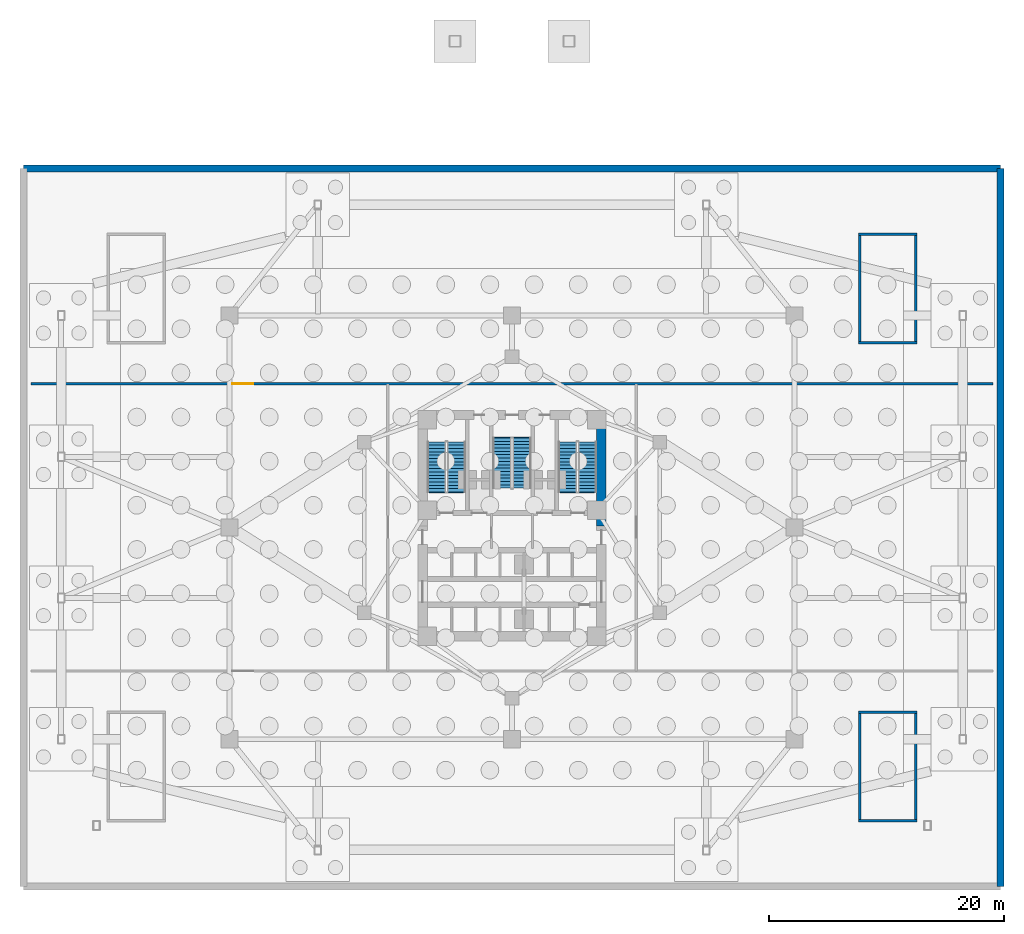
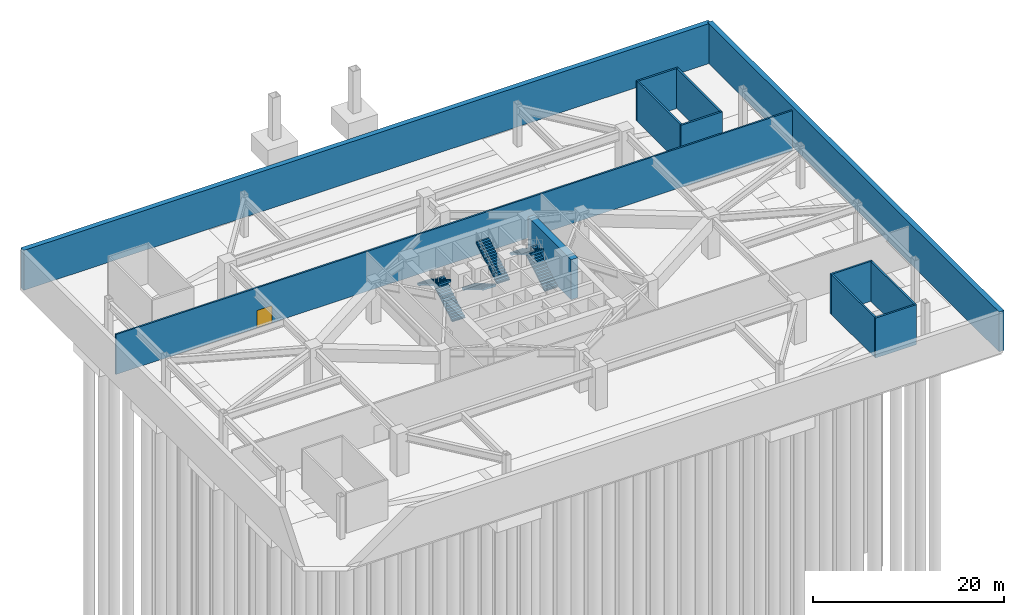
# One storey, part 6 of 8: 12 walls, 6 stair flights, 1 door, 1 opening, 3 elements without a shape of their own.
"""IFC4 building model written with IfcOpenShell, lengths in metres."""

from ifc_helpers import new_model, si_unit, direction, frame, frame_2d, origin, place, context, subcontext, project, spatial, polyline, rectangle, outline, extrude, material, layer, layer_set, type_object, element, fill, aggregate, save


model = new_model("IFC4")

# Units and contexts
model_context = context("Model", 3, precision=1e-05, world=origin(), true_north=direction((0.0, 1.0)))
body_context = subcontext(model_context, "Body", "Model", "MODEL_VIEW")
ifc_project = project(units=[si_unit("LENGTHUNIT", "METRE"), si_unit("AREAUNIT", "SQUARE_METRE"), si_unit("VOLUMEUNIT", "CUBIC_METRE"), si_unit("PLANEANGLEUNIT", "RADIAN"), si_unit("MASSUNIT", "GRAM", prefix="KILO")], contexts=[model_context])

# Site, building, storey
site_placement = place(None, origin())
site = spatial("IfcSite", under=ifc_project, at=site_placement, CompositionType="ELEMENT")
building_placement = place(site_placement, origin())
building = spatial("IfcBuilding", under=site, at=building_placement, Name="Apsidion Concourse Tower", CompositionType="ELEMENT")
storey_placement = place(building_placement, frame((0.0, 0.0, -5.39990234375)))
storey = spatial("IfcBuildingStorey", under=building, at=storey_placement, Name="B01", CompositionType="ELEMENT", Elevation=-5.39990234375)

# Wall, opening, door
ifc_material_1 = material(Name="Gypsum plasterboard partition")
ifc_layer_1 = layer(ifc_material_1, 0.199951171875)
ifc_layer_set_1 = layer_set([ifc_layer_1], Name="Gypsum plasterboard partition")
wall_type_1 = type_object("IfcWallType", Name="WL-INT-PAR-200", PredefinedType="PARTITIONING", material=ifc_layer_set_1)
wall_1_placement = place(storey_placement, frame((-40.85009765625, 12.199951171875, 0.0), z_axis=(0.0, 0.0, 1.0), x_axis=(1.0, 0.0, 0.0)))
wall_1 = element("IfcWall", 1, at=wall_1_placement, inside=storey, type_object=wall_type_1, Name="B01 Interior Partition WL-B01-N", PredefinedType="PARTITIONING", context=body_context, shape_type="SweptSolid", body=[
    extrude(rectangle(XDim=81.7001953125, YDim=0.199951171875, at=frame_2d((40.85009765625, 0.0))), origin(), (0.0, 0.0, 1.0), 5.099853515625),
])
opening_placement = place(wall_1_placement, frame((17.073974609375, 0.0, 0.0)))
opening = element("IfcOpeningElement", 2, at=opening_placement, cuts=wall_1, Name="Opening D-06D", PredefinedType="OPENING", context=body_context, shape_type="SweptSolid", body=[
    extrude(rectangle(XDim=1.800048828125, YDim=2.199951171875, at=frame_2d((0.89990234375, 1.10009765625))), frame((0.0, 0.10986328125, 0.0), z_axis=(0.0, -1.0, 0.0), x_axis=(1.0, 0.0, 0.0)), (0.0, 0.0, 1.0), 0.219970703125),
])
ifc_material_2 = material(Name="Brushed stainless steel 316", Category="steel")
door_type = type_object("IfcDoorType", Name="DR-INT-D06D", OperationType="DOUBLE_DOOR_SINGLE_SWING", PredefinedType="DOOR", material=ifc_material_2)
door_placement = place(opening_placement, origin())
door = element("IfcDoor", 3, at=door_placement, inside=storey, type_object=door_type, Name="B01 Plant Door WL-B01-N", OperationType="DOUBLE_DOOR_SINGLE_SWING", OverallHeight=2.199951171875, OverallWidth=1.800048828125, PredefinedType="DOOR", context=body_context, shape_type="SweptSolid", body=[
    extrude(rectangle(XDim=1.800048828125, YDim=2.199951171875, at=frame_2d((0.89990234375, 1.10009765625))), frame((0.0, 0.02490234375, 0.0), z_axis=(0.0, -1.0, 0.0), x_axis=(1.0, 0.0, 0.0)), (0.0, 0.0, 1.0), 0.050048828125),
])
fill(opening, door)

# Walls
ifc_material_3 = material(Name="Concrete C50/60", Category="concrete")
ifc_layer_2 = layer(ifc_material_3, 0.60009765625)
ifc_layer_set_2 = layer_set([ifc_layer_2], Name="Concrete C50/60")
wall_type_2 = type_object("IfcWallType", Name="WL-RET-600", PredefinedType="SHEAR", material=ifc_layer_set_2)
wall_2_placement = place(storey_placement, frame((41.5, -30.5, 0.0), z_axis=(0.0, 0.0, 1.0), x_axis=(0.0, 1.0, 0.0)))
element("IfcWall", 4, at=wall_2_placement, inside=storey, type_object=wall_type_2, Name="B01 Perimeter Retaining Wall E", PredefinedType="SHEAR", context=body_context, shape_type="SweptSolid", body=[
    extrude(rectangle(XDim=61.0, YDim=0.60009765625, at=frame_2d((30.5, 0.0))), origin(), (0.0, 0.0, 1.0), 5.099853515625),
])
wall_3_placement = place(storey_placement, frame((41.5, 30.5, 0.0), z_axis=(0.0, 0.0, 1.0), x_axis=(-1.0, 0.0, 0.0)))
element("IfcWall", 5, at=wall_3_placement, inside=storey, type_object=wall_type_2, Name="B01 Perimeter Retaining Wall N", PredefinedType="SHEAR", context=body_context, shape_type="SweptSolid", body=[
    extrude(rectangle(XDim=83.0, YDim=0.60009765625, at=frame_2d((41.5, 0.0))), origin(), (0.0, 0.0, 1.0), 5.099853515625),
])
ifc_layer_3 = layer(ifc_material_3, 0.219970703125)
ifc_layer_set_3 = layer_set([ifc_layer_3], Name="Concrete C50/60")
wall_type_3 = type_object("IfcWallType", Name="WL-SH-220", PredefinedType="SHEAR", material=ifc_layer_set_3)
for number, where, z_axis, x_axis, name in (
    (6, (29.429931640625, -24.909912109375, 0.0), (0.0, 0.0, 1.0), (1.0, 0.0, 0.0), "B01 Podium Stair ST-P2 Core Shear Wall S"),
    (7, (29.429931640625, -15.68994140625, 0.0), (0.0, 0.0, 1.0), (1.0, 0.0, 0.0), "B01 Podium Stair ST-P2 Core Shear Wall N"),
):
    element("IfcWall", number, at=place(storey_placement, frame(where, z_axis=z_axis, x_axis=x_axis)), inside=storey, type_object=wall_type_3, Name=name, PredefinedType="SHEAR", context=body_context, shape_type="SweptSolid", body=[
        extrude(rectangle(XDim=4.989990234375, YDim=0.219970703125, at=frame_2d((2.4951171875, 0.0))), origin(), (0.0, 0.0, 1.0), 5.099853515625),
    ])
for number, where, z_axis, x_axis, name in (
    (8, (29.5400390625, -24.800048828125, 0.0), (0.0, 0.0, 1.0), (0.0, 1.0, 0.0), "B01 Podium Stair ST-P2 Core Shear Wall W"),
    (9, (34.31005859375, -24.800048828125, 0.0), (0.0, 0.0, 1.0), (0.0, 1.0, 0.0), "B01 Podium Stair ST-P2 Core Shear Wall E"),
):
    element("IfcWall", number, at=place(storey_placement, frame(where, z_axis=z_axis, x_axis=x_axis)), inside=storey, type_object=wall_type_3, Name=name, PredefinedType="SHEAR", context=body_context, shape_type="SweptSolid", body=[
        extrude(rectangle(XDim=9.0, YDim=0.219970703125, at=frame_2d((4.5, 0.0))), origin(), (0.0, 0.0, 1.0), 5.099853515625),
    ])
for number, where, z_axis, x_axis, name in (
    (10, (29.429931640625, 15.68994140625, 0.0), (0.0, 0.0, 1.0), (1.0, 0.0, 0.0), "B01 Podium Stair ST-P4 Core Shear Wall S"),
    (11, (29.429931640625, 24.909912109375, 0.0), (0.0, 0.0, 1.0), (1.0, 0.0, 0.0), "B01 Podium Stair ST-P4 Core Shear Wall N"),
):
    element("IfcWall", number, at=place(storey_placement, frame(where, z_axis=z_axis, x_axis=x_axis)), inside=storey, type_object=wall_type_3, Name=name, PredefinedType="SHEAR", context=body_context, shape_type="SweptSolid", body=[
        extrude(rectangle(XDim=4.989990234375, YDim=0.219970703125, at=frame_2d((2.4951171875, 0.0))), origin(), (0.0, 0.0, 1.0), 5.099853515625),
    ])
for number, where, z_axis, x_axis, name in (
    (12, (29.5400390625, 15.800048828125, 0.0), (0.0, 0.0, 1.0), (0.0, 1.0, 0.0), "B01 Podium Stair ST-P4 Core Shear Wall W"),
    (13, (34.31005859375, 15.800048828125, 0.0), (0.0, 0.0, 1.0), (0.0, 1.0, 0.0), "B01 Podium Stair ST-P4 Core Shear Wall E"),
):
    element("IfcWall", number, at=place(storey_placement, frame(where, z_axis=z_axis, x_axis=x_axis)), inside=storey, type_object=wall_type_3, Name=name, PredefinedType="SHEAR", context=body_context, shape_type="SweptSolid", body=[
        extrude(rectangle(XDim=9.0, YDim=0.219970703125, at=frame_2d((4.5, 0.0))), origin(), (0.0, 0.0, 1.0), 5.099853515625),
    ])
ifc_material_4 = material(Name="Concrete C60/75", Category="concrete")
ifc_layer_4 = layer(ifc_material_4, 0.800048828125)
ifc_layer_set_4 = layer_set([ifc_layer_4], Name="Concrete C60/75")
wall_type_4 = type_object("IfcWallType", Name="WL-SH-800", PredefinedType="SHEAR", material=ifc_layer_set_4)
wall_4_placement = place(storey_placement, frame((7.60009765625, 0.10009765625, 0.0), z_axis=(0.0, 0.0, 1.0), x_axis=(0.0, 1.0, 0.0)))
element("IfcWall", 14, at=wall_4_placement, inside=storey, type_object=wall_type_4, Name="B01 Central Core Shear Wall EN", PredefinedType="SHEAR", context=body_context, shape_type="SweptSolid", body=[
    extrude(rectangle(XDim=9.0498046875, YDim=0.800048828125, at=frame_2d((4.52490234375, 0.0))), origin(), (0.0, 0.0, 1.0), 5.099853515625),
])

# Stair, stair flights
ifc_material_5 = material(Name="Precast concrete C40/50", Category="concrete")
stair_type = type_object("IfcStairType", Name="ST-DL-1550", PredefinedType="HALF_TURN_STAIR", material=ifc_material_5)
stair_1_placement = place(storey_placement, origin())
stair_1 = element("IfcStair", 15, at=stair_1_placement, inside=storey, type_object=stair_type, Name="B01 Protected Core Exit Stair ST1", PredefinedType="HALF_TURN_STAIR")
stair_flight_type = type_object("IfcStairFlightType", Name="SFL-RC-1550", PredefinedType="STRAIGHT", material=ifc_material_5)
stair_flight_1_placement = place(storey_placement, frame((-4.72509765625, 3.0, 0.0), z_axis=(0.0, 0.0, 1.0), x_axis=(0.0, 1.0, 0.0)))
stair_flight_1 = element("IfcStairFlight", 16, at=stair_flight_1_placement, type_object=stair_flight_type, Name="ST1 flight 1", NumberOfRisers=16, NumberOfTreads=15, PredefinedType="STRAIGHT", RiserHeight=0.16875, TreadLength=0.285, context=body_context, shape_type="SweptSolid", body=[
    extrude(outline(polyline([(-0.080078125, -0.1123046875), (-0.080078125, 0.0), (0.0, 0.0), (0.0, 0.168701171875), (0.284912109375, 0.168701171875), (0.284912109375, 0.33740234375), (0.570068359375, 0.33740234375), (0.570068359375, 0.50634765625), (0.85498046875, 0.50634765625), (0.85498046875, 0.675048828125), (1.139892578125, 0.675048828125), (1.139892578125, 0.84375), (1.425048828125, 0.84375), (1.425048828125, 1.012451171875), (1.7099609375, 1.012451171875), (1.7099609375, 1.18115234375), (1.9951171875, 1.18115234375), (1.9951171875, 1.35009765625), (2.280029296875, 1.35009765625), (2.280029296875, 1.518798828125), (2.56494140625, 1.518798828125), (2.56494140625, 1.6875), (2.85009765625, 1.6875), (2.85009765625, 1.856201171875), (3.135009765625, 1.856201171875), (3.135009765625, 2.02490234375), (3.419921875, 2.02490234375), (3.419921875, 2.19384765625), (3.705078125, 2.19384765625), (3.705078125, 2.362548828125), (3.989990234375, 2.362548828125), (3.989990234375, 2.53125), (4.27490234375, 2.53125), (4.27490234375, 2.699951171875), (4.35498046875, 2.61572265625), (4.35498046875, 2.35693359375), (4.27490234375, 2.35693359375), (0.294189453125, 0.0), (0.294189453125, -0.1123046875), (-0.080078125, -0.1123046875)])), frame((0.0, 0.77490234375, 0.0), z_axis=(0.0, -1.0, 0.0), x_axis=(1.0, 0.0, 0.0)), (0.0, 0.0, 1.0), 1.550048828125),
])
stair_flight_2_placement = place(storey_placement, frame((-6.425048828125, 7.27490234375, 2.699951171875), z_axis=(0.0, 0.0, 1.0), x_axis=(0.0, -1.0, 0.0)))
stair_flight_2 = element("IfcStairFlight", 17, at=stair_flight_2_placement, type_object=stair_flight_type, Name="ST1 flight 2", NumberOfRisers=16, NumberOfTreads=15, PredefinedType="STRAIGHT", RiserHeight=0.16875, TreadLength=0.285, context=body_context, shape_type="SweptSolid", body=[
    extrude(outline(polyline([(-0.080078125, -0.1123046875), (-0.080078125, 0.0), (0.0, 0.0), (0.0, 0.168701171875), (0.284912109375, 0.168701171875), (0.284912109375, 0.33740234375), (0.570068359375, 0.33740234375), (0.570068359375, 0.50634765625), (0.85498046875, 0.50634765625), (0.85498046875, 0.675048828125), (1.139892578125, 0.675048828125), (1.139892578125, 0.84375), (1.425048828125, 0.84375), (1.425048828125, 1.012451171875), (1.7099609375, 1.012451171875), (1.7099609375, 1.18115234375), (1.9951171875, 1.18115234375), (1.9951171875, 1.35009765625), (2.280029296875, 1.35009765625), (2.280029296875, 1.518798828125), (2.56494140625, 1.518798828125), (2.56494140625, 1.6875), (2.85009765625, 1.6875), (2.85009765625, 1.856201171875), (3.135009765625, 1.856201171875), (3.135009765625, 2.02490234375), (3.419921875, 2.02490234375), (3.419921875, 2.19384765625), (3.705078125, 2.19384765625), (3.705078125, 2.362548828125), (3.989990234375, 2.362548828125), (3.989990234375, 2.53125), (4.27490234375, 2.53125), (4.27490234375, 2.699951171875), (4.35498046875, 2.61572265625), (4.35498046875, 2.35693359375), (4.27490234375, 2.35693359375), (0.294189453125, 0.0), (0.294189453125, -0.1123046875), (-0.080078125, -0.1123046875)])), frame((0.0, 0.77490234375, 0.0), z_axis=(0.0, -1.0, 0.0), x_axis=(1.0, 0.0, 0.0)), (0.0, 0.0, 1.0), 1.550048828125),
])
aggregate(stair_1, [stair_flight_1, stair_flight_2])

stair_2_placement = place(storey_placement, origin())
stair_2 = element("IfcStair", 18, at=stair_2_placement, inside=storey, type_object=stair_type, Name="B01 Protected Core Exit Stair ST2", PredefinedType="HALF_TURN_STAIR")
stair_flight_3_placement = place(storey_placement, frame((6.425048828125, 3.0, 0.0), z_axis=(0.0, 0.0, 1.0), x_axis=(0.0, 1.0, 0.0)))
stair_flight_3 = element("IfcStairFlight", 19, at=stair_flight_3_placement, type_object=stair_flight_type, Name="ST2 flight 1", NumberOfRisers=16, NumberOfTreads=15, PredefinedType="STRAIGHT", RiserHeight=0.16875, TreadLength=0.285, context=body_context, shape_type="SweptSolid", body=[
    extrude(outline(polyline([(-0.080078125, -0.1123046875), (-0.080078125, 0.0), (0.0, 0.0), (0.0, 0.168701171875), (0.284912109375, 0.168701171875), (0.284912109375, 0.33740234375), (0.570068359375, 0.33740234375), (0.570068359375, 0.50634765625), (0.85498046875, 0.50634765625), (0.85498046875, 0.675048828125), (1.139892578125, 0.675048828125), (1.139892578125, 0.84375), (1.425048828125, 0.84375), (1.425048828125, 1.012451171875), (1.7099609375, 1.012451171875), (1.7099609375, 1.18115234375), (1.9951171875, 1.18115234375), (1.9951171875, 1.35009765625), (2.280029296875, 1.35009765625), (2.280029296875, 1.518798828125), (2.56494140625, 1.518798828125), (2.56494140625, 1.6875), (2.85009765625, 1.6875), (2.85009765625, 1.856201171875), (3.135009765625, 1.856201171875), (3.135009765625, 2.02490234375), (3.419921875, 2.02490234375), (3.419921875, 2.19384765625), (3.705078125, 2.19384765625), (3.705078125, 2.362548828125), (3.989990234375, 2.362548828125), (3.989990234375, 2.53125), (4.27490234375, 2.53125), (4.27490234375, 2.699951171875), (4.35498046875, 2.61572265625), (4.35498046875, 2.35693359375), (4.27490234375, 2.35693359375), (0.294189453125, 0.0), (0.294189453125, -0.1123046875), (-0.080078125, -0.1123046875)])), frame((0.0, 0.77490234375, 0.0), z_axis=(0.0, -1.0, 0.0), x_axis=(1.0, 0.0, 0.0)), (0.0, 0.0, 1.0), 1.550048828125),
])
stair_flight_4_placement = place(storey_placement, frame((4.72509765625, 7.27490234375, 2.699951171875), z_axis=(0.0, 0.0, 1.0), x_axis=(0.0, -1.0, 0.0)))
stair_flight_4 = element("IfcStairFlight", 20, at=stair_flight_4_placement, type_object=stair_flight_type, Name="ST2 flight 2", NumberOfRisers=16, NumberOfTreads=15, PredefinedType="STRAIGHT", RiserHeight=0.16875, TreadLength=0.285, context=body_context, shape_type="SweptSolid", body=[
    extrude(outline(polyline([(-0.080078125, -0.1123046875), (-0.080078125, 0.0), (0.0, 0.0), (0.0, 0.168701171875), (0.284912109375, 0.168701171875), (0.284912109375, 0.33740234375), (0.570068359375, 0.33740234375), (0.570068359375, 0.50634765625), (0.85498046875, 0.50634765625), (0.85498046875, 0.675048828125), (1.139892578125, 0.675048828125), (1.139892578125, 0.84375), (1.425048828125, 0.84375), (1.425048828125, 1.012451171875), (1.7099609375, 1.012451171875), (1.7099609375, 1.18115234375), (1.9951171875, 1.18115234375), (1.9951171875, 1.35009765625), (2.280029296875, 1.35009765625), (2.280029296875, 1.518798828125), (2.56494140625, 1.518798828125), (2.56494140625, 1.6875), (2.85009765625, 1.6875), (2.85009765625, 1.856201171875), (3.135009765625, 1.856201171875), (3.135009765625, 2.02490234375), (3.419921875, 2.02490234375), (3.419921875, 2.19384765625), (3.705078125, 2.19384765625), (3.705078125, 2.362548828125), (3.989990234375, 2.362548828125), (3.989990234375, 2.53125), (4.27490234375, 2.53125), (4.27490234375, 2.699951171875), (4.35498046875, 2.61572265625), (4.35498046875, 2.35693359375), (4.27490234375, 2.35693359375), (0.294189453125, 0.0), (0.294189453125, -0.1123046875), (-0.080078125, -0.1123046875)])), frame((0.0, 0.77490234375, 0.0), z_axis=(0.0, -1.0, 0.0), x_axis=(1.0, 0.0, 0.0)), (0.0, 0.0, 1.0), 1.550048828125),
])
aggregate(stair_2, [stair_flight_3, stair_flight_4])

stair_3_placement = place(storey_placement, origin())
stair_3 = element("IfcStair", 21, at=stair_3_placement, inside=storey, type_object=stair_type, Name="B01 Protected Core Exit Stair ST3", PredefinedType="HALF_TURN_STAIR")
stair_flight_5_placement = place(storey_placement, frame((-0.85009765625, 7.60009765625, 0.0), z_axis=(0.0, 0.0, 1.0), x_axis=(0.0, -1.0, 0.0)))
stair_flight_5 = element("IfcStairFlight", 22, at=stair_flight_5_placement, type_object=stair_flight_type, Name="ST3 flight 1", NumberOfRisers=16, NumberOfTreads=15, PredefinedType="STRAIGHT", RiserHeight=0.16875, TreadLength=0.285, context=body_context, shape_type="SweptSolid", body=[
    extrude(outline(polyline([(-0.080078125, -0.1123046875), (-0.080078125, 0.0), (0.0, 0.0), (0.0, 0.168701171875), (0.284912109375, 0.168701171875), (0.284912109375, 0.33740234375), (0.570068359375, 0.33740234375), (0.570068359375, 0.50634765625), (0.85498046875, 0.50634765625), (0.85498046875, 0.675048828125), (1.139892578125, 0.675048828125), (1.139892578125, 0.84375), (1.425048828125, 0.84375), (1.425048828125, 1.012451171875), (1.7099609375, 1.012451171875), (1.7099609375, 1.18115234375), (1.9951171875, 1.18115234375), (1.9951171875, 1.35009765625), (2.280029296875, 1.35009765625), (2.280029296875, 1.518798828125), (2.56494140625, 1.518798828125), (2.56494140625, 1.6875), (2.85009765625, 1.6875), (2.85009765625, 1.856201171875), (3.135009765625, 1.856201171875), (3.135009765625, 2.02490234375), (3.419921875, 2.02490234375), (3.419921875, 2.19384765625), (3.705078125, 2.19384765625), (3.705078125, 2.362548828125), (3.989990234375, 2.362548828125), (3.989990234375, 2.53125), (4.27490234375, 2.53125), (4.27490234375, 2.699951171875), (4.35498046875, 2.61572265625), (4.35498046875, 2.35693359375), (4.27490234375, 2.35693359375), (0.294189453125, 0.0), (0.294189453125, -0.1123046875), (-0.080078125, -0.1123046875)])), frame((0.0, 0.77490234375, 0.0), z_axis=(0.0, -1.0, 0.0), x_axis=(1.0, 0.0, 0.0)), (0.0, 0.0, 1.0), 1.550048828125),
])
stair_flight_6_placement = place(storey_placement, frame((0.85009765625, 3.324951171875, 2.699951171875), z_axis=(0.0, 0.0, 1.0), x_axis=(0.0, 1.0, 0.0)))
stair_flight_6 = element("IfcStairFlight", 23, at=stair_flight_6_placement, type_object=stair_flight_type, Name="ST3 flight 2", NumberOfRisers=16, NumberOfTreads=15, PredefinedType="STRAIGHT", RiserHeight=0.16875, TreadLength=0.285, context=body_context, shape_type="SweptSolid", body=[
    extrude(outline(polyline([(-0.080078125, -0.1123046875), (-0.080078125, 0.0), (0.0, 0.0), (0.0, 0.168701171875), (0.284912109375, 0.168701171875), (0.284912109375, 0.33740234375), (0.570068359375, 0.33740234375), (0.570068359375, 0.50634765625), (0.85498046875, 0.50634765625), (0.85498046875, 0.675048828125), (1.139892578125, 0.675048828125), (1.139892578125, 0.84375), (1.425048828125, 0.84375), (1.425048828125, 1.012451171875), (1.7099609375, 1.012451171875), (1.7099609375, 1.18115234375), (1.9951171875, 1.18115234375), (1.9951171875, 1.35009765625), (2.280029296875, 1.35009765625), (2.280029296875, 1.518798828125), (2.56494140625, 1.518798828125), (2.56494140625, 1.6875), (2.85009765625, 1.6875), (2.85009765625, 1.856201171875), (3.135009765625, 1.856201171875), (3.135009765625, 2.02490234375), (3.419921875, 2.02490234375), (3.419921875, 2.19384765625), (3.705078125, 2.19384765625), (3.705078125, 2.362548828125), (3.989990234375, 2.362548828125), (3.989990234375, 2.53125), (4.27490234375, 2.53125), (4.27490234375, 2.699951171875), (4.35498046875, 2.61572265625), (4.35498046875, 2.35693359375), (4.27490234375, 2.35693359375), (0.294189453125, 0.0), (0.294189453125, -0.1123046875), (-0.080078125, -0.1123046875)])), frame((0.0, 0.77490234375, 0.0), z_axis=(0.0, -1.0, 0.0), x_axis=(1.0, 0.0, 0.0)), (0.0, 0.0, 1.0), 1.550048828125),
])
aggregate(stair_3, [stair_flight_5, stair_flight_6])

save(model, "model.ifc")
